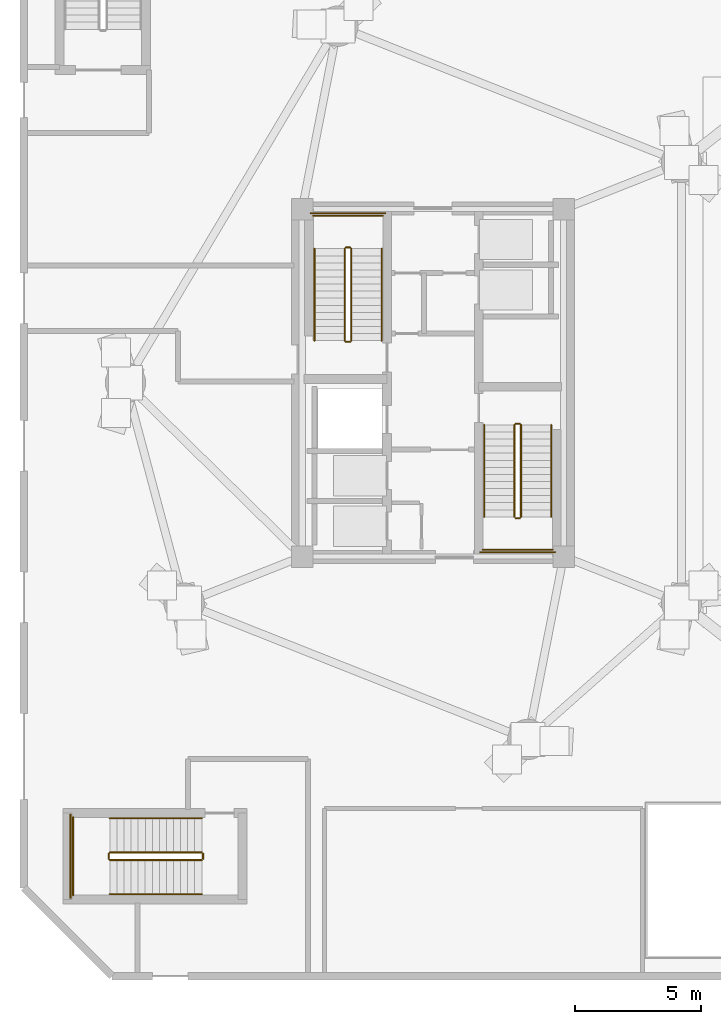
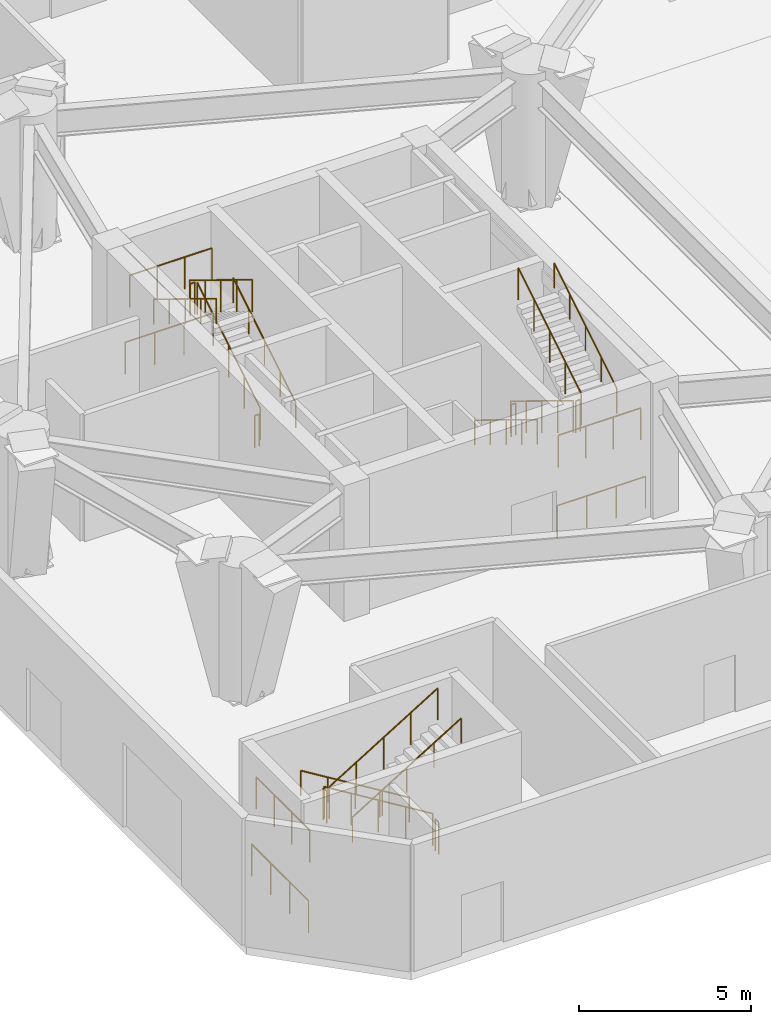
# One storey, part 12 of 17: 24 railings.
"""IFC4 building model written with IfcOpenShell, lengths in metres."""

from ifc_helpers import new_model, si_unit, direction, frame, origin, origin_2d, place, context, subcontext, project, spatial, circle, extrude, material, type_object, element, save


model = new_model("IFC4")

# Units and contexts
model_context = context("Model", 3, precision=1e-05, world=origin(), true_north=direction((0.0, 1.0)))
body_context = subcontext(model_context, "Body", "Model", "MODEL_VIEW")
ifc_project = project(units=[si_unit("LENGTHUNIT", "METRE"), si_unit("AREAUNIT", "SQUARE_METRE"), si_unit("VOLUMEUNIT", "CUBIC_METRE"), si_unit("PLANEANGLEUNIT", "RADIAN"), si_unit("MASSUNIT", "GRAM", prefix="KILO")], contexts=[model_context])

# Site, building, storey
site_placement = place(None, origin())
site = spatial("IfcSite", under=ifc_project, at=site_placement, CompositionType="ELEMENT")
building_placement = place(site_placement, origin())
building = spatial("IfcBuilding", under=site, at=building_placement, Name="Cununo Teusaquillo Station Towers", CompositionType="ELEMENT")
storey_placement = place(building_placement, origin())
storey = spatial("IfcBuildingStorey", under=building, at=storey_placement, Name="L00", CompositionType="ELEMENT", Elevation=0.0)

# Railings
ifc_material_1 = material(Name="Steel EN 10025-2 S355J2", Category="steel")
railing_type_1 = type_object("IfcRailingType", Name="RL-INT-GUARD", PredefinedType="GUARDRAIL", material=ifc_material_1)
railing_1_placement = place(storey_placement, frame((13.27001953125, 26.169921875, 0.17138671875)))
element("IfcRailing", 1, at=railing_1_placement, inside=storey, type_object=railing_type_1, Name="L00 ST-T1-1 stair guard 1", PredefinedType="GUARDRAIL", context=body_context, shape_type="SweptSolid", body=[
    extrude(circle(Radius=0.02392578125, at=origin_2d()), frame((0.0, 0.0, 1.1259765625), z_axis=(0.0, 0.852865859571, 0.52213008492), x_axis=(-1.0, 0.0, 0.0)), (0.0, 0.0, 1.0), 4.26806640625),
    extrude(circle(Radius=0.02099609375, at=origin_2d()), origin(), (0.0, 0.0, 1.0), 1.101806640625),
    extrude(circle(Radius=0.02099609375, at=origin_2d()), frame((0.0, 0.91015625, 0.55712890625)), (0.0, 0.0, 1.0), 1.101806640625),
    extrude(circle(Radius=0.02099609375, at=origin_2d()), frame((0.0, 1.820068359375, 1.1142578125)), (0.0, 0.0, 1.0), 1.101806640625),
    extrude(circle(Radius=0.02099609375, at=origin_2d()), frame((0.0, 2.72998046875, 1.67138671875)), (0.0, 0.0, 1.0), 1.101806640625),
    extrude(circle(Radius=0.02099609375, at=origin_2d()), frame((0.0, 3.64013671875, 2.228515625)), (0.0, 0.0, 1.0), 1.101806640625),
])
railing_2_placement = place(storey_placement, frame((13.219970703125, 29.860107421875, 2.39990234375)))
element("IfcRailing", 2, at=railing_2_placement, inside=storey, type_object=railing_type_1, Name="L00 ST-T1-1 stair guard 2", PredefinedType="GUARDRAIL", context=body_context, shape_type="SweptSolid", body=[
    extrude(circle(Radius=0.02392578125, at=origin_2d()), frame((0.0, 0.0, 1.1259765625), z_axis=(-1.0, 0.0, 0.0), x_axis=(0.0, -1.0, 0.0)), (0.0, 0.0, 1.0), 0.159912109375),
    extrude(circle(Radius=0.02099609375, at=origin_2d()), origin(), (0.0, 0.0, 1.0), 1.101806640625),
    extrude(circle(Radius=0.02099609375, at=origin_2d()), frame((-0.159912109375, 0.0, 0.0)), (0.0, 0.0, 1.0), 1.101806640625),
])
railing_3_placement = place(storey_placement, frame((14.52001953125, 31.110107421875, 2.39990234375)))
element("IfcRailing", 3, at=railing_3_placement, inside=storey, type_object=railing_type_1, Name="L00 ST-T1-1 stair guard 3", PredefinedType="GUARDRAIL", context=body_context, shape_type="SweptSolid", body=[
    extrude(circle(Radius=0.02392578125, at=origin_2d()), frame((0.0, 0.0, 1.1259765625), z_axis=(-1.0, 0.0, 0.0), x_axis=(0.0, -1.0, 0.0)), (0.0, 0.0, 1.0), 2.760009765625),
    extrude(circle(Radius=0.02099609375, at=origin_2d()), origin(), (0.0, 0.0, 1.0), 1.101806640625),
    extrude(circle(Radius=0.02099609375, at=origin_2d()), frame((-0.919921875, 0.0, 0.0)), (0.0, 0.0, 1.0), 1.101806640625),
    extrude(circle(Radius=0.02099609375, at=origin_2d()), frame((-1.840087890625, 0.0, 0.0)), (0.0, 0.0, 1.0), 1.101806640625),
    extrude(circle(Radius=0.02099609375, at=origin_2d()), frame((-2.760009765625, 0.0, 0.0)), (0.0, 0.0, 1.0), 1.101806640625),
])
railing_4_placement = place(storey_placement, frame((13.010009765625, 29.81005859375, 2.571533203125)))
element("IfcRailing", 4, at=railing_4_placement, inside=storey, type_object=railing_type_1, Name="L00 ST-T1-1 stair guard 4", PredefinedType="GUARDRAIL", context=body_context, shape_type="SweptSolid", body=[
    extrude(circle(Radius=0.02392578125, at=origin_2d()), frame((0.0, 0.0, 1.1259765625), z_axis=(0.0, -0.852865859571, 0.52213008492), x_axis=(1.0, 0.0, 0.0)), (0.0, 0.0, 1.0), 4.26806640625),
    extrude(circle(Radius=0.02099609375, at=origin_2d()), origin(), (0.0, 0.0, 1.0), 1.101806640625),
    extrude(circle(Radius=0.02099609375, at=origin_2d()), frame((0.0, -0.91015625, 0.55712890625)), (0.0, 0.0, 1.0), 1.101806640625),
    extrude(circle(Radius=0.02099609375, at=origin_2d()), frame((0.0, -1.820068359375, 1.1142578125)), (0.0, 0.0, 1.0), 1.101806640625),
    extrude(circle(Radius=0.02099609375, at=origin_2d()), frame((0.0, -2.72998046875, 1.67138671875)), (0.0, 0.0, 1.0), 1.101806640625),
    extrude(circle(Radius=0.02099609375, at=origin_2d()), frame((0.0, -3.64013671875, 2.228515625)), (0.0, 0.0, 1.0), 1.101806640625),
])
railing_5_placement = place(storey_placement, frame((13.219970703125, 26.1201171875, 0.0)))
element("IfcRailing", 5, at=railing_5_placement, inside=storey, type_object=railing_type_1, Name="L00 ST-T1-1 stair guard 5", PredefinedType="GUARDRAIL", context=body_context, shape_type="SweptSolid", body=[
    extrude(circle(Radius=0.02392578125, at=origin_2d()), frame((0.0, 0.0, 1.1259765625), z_axis=(-1.0, 0.0, 0.0), x_axis=(0.0, -1.0, 0.0)), (0.0, 0.0, 1.0), 0.159912109375),
    extrude(circle(Radius=0.02099609375, at=origin_2d()), origin(), (0.0, 0.0, 1.0), 1.101806640625),
    extrude(circle(Radius=0.02099609375, at=origin_2d()), frame((-0.159912109375, 0.0, 0.0)), (0.0, 0.0, 1.0), 1.101806640625),
])
railing_6_placement = place(storey_placement, frame((14.6201171875, 31.2099609375, 0.0)))
element("IfcRailing", 6, at=railing_6_placement, inside=storey, type_object=railing_type_1, Name="L00 ST-T1-1 stair guard 6", PredefinedType="GUARDRAIL", context=body_context, shape_type="SweptSolid", body=[
    extrude(circle(Radius=0.02392578125, at=origin_2d()), frame((0.0, 0.0, 1.1259765625), z_axis=(-1.0, 0.0, 0.0), x_axis=(0.0, -1.0, 0.0)), (0.0, 0.0, 1.0), 2.960205078125),
    extrude(circle(Radius=0.02099609375, at=origin_2d()), origin(), (0.0, 0.0, 1.0), 1.101806640625),
    extrude(circle(Radius=0.02099609375, at=origin_2d()), frame((-0.98681640625, 0.0, 0.0)), (0.0, 0.0, 1.0), 1.101806640625),
    extrude(circle(Radius=0.02099609375, at=origin_2d()), frame((-1.973388671875, 0.0, 0.0)), (0.0, 0.0, 1.0), 1.101806640625),
    extrude(circle(Radius=0.02099609375, at=origin_2d()), frame((-2.960205078125, 0.0, 0.0)), (0.0, 0.0, 1.0), 1.101806640625),
])
railing_7_placement = place(storey_placement, frame((19.72998046875, 22.830078125, 0.17138671875)))
element("IfcRailing", 7, at=railing_7_placement, inside=storey, type_object=railing_type_1, Name="L00 ST-T1-2 stair guard 1", PredefinedType="GUARDRAIL", context=body_context, shape_type="SweptSolid", body=[
    extrude(circle(Radius=0.02392578125, at=origin_2d()), frame((0.0, 0.0, 1.1259765625), z_axis=(0.0, -0.852865859571, 0.52213008492), x_axis=(1.0, 0.0, 0.0)), (0.0, 0.0, 1.0), 4.26806640625),
    extrude(circle(Radius=0.02099609375, at=origin_2d()), origin(), (0.0, 0.0, 1.0), 1.101806640625),
    extrude(circle(Radius=0.02099609375, at=origin_2d()), frame((0.0, -0.91015625, 0.55712890625)), (0.0, 0.0, 1.0), 1.101806640625),
    extrude(circle(Radius=0.02099609375, at=origin_2d()), frame((0.0, -1.820068359375, 1.1142578125)), (0.0, 0.0, 1.0), 1.101806640625),
    extrude(circle(Radius=0.02099609375, at=origin_2d()), frame((0.0, -2.72998046875, 1.67138671875)), (0.0, 0.0, 1.0), 1.101806640625),
    extrude(circle(Radius=0.02099609375, at=origin_2d()), frame((0.0, -3.64013671875, 2.228515625)), (0.0, 0.0, 1.0), 1.101806640625),
])
railing_8_placement = place(storey_placement, frame((19.780029296875, 19.139892578125, 2.39990234375)))
element("IfcRailing", 8, at=railing_8_placement, inside=storey, type_object=railing_type_1, Name="L00 ST-T1-2 stair guard 2", PredefinedType="GUARDRAIL", context=body_context, shape_type="SweptSolid", body=[
    extrude(circle(Radius=0.02392578125, at=origin_2d()), frame((0.0, 0.0, 1.1259765625), z_axis=(1.0, 0.0, 0.0), x_axis=(0.0, 1.0, 0.0)), (0.0, 0.0, 1.0), 0.159912109375),
    extrude(circle(Radius=0.02099609375, at=origin_2d()), origin(), (0.0, 0.0, 1.0), 1.101806640625),
    extrude(circle(Radius=0.02099609375, at=origin_2d()), frame((0.159912109375, 0.0, 0.0)), (0.0, 0.0, 1.0), 1.101806640625),
])
railing_9_placement = place(storey_placement, frame((18.47998046875, 17.889892578125, 2.39990234375)))
element("IfcRailing", 9, at=railing_9_placement, inside=storey, type_object=railing_type_1, Name="L00 ST-T1-2 stair guard 3", PredefinedType="GUARDRAIL", context=body_context, shape_type="SweptSolid", body=[
    extrude(circle(Radius=0.02392578125, at=origin_2d()), frame((0.0, 0.0, 1.1259765625), z_axis=(1.0, 0.0, 0.0), x_axis=(0.0, 1.0, 0.0)), (0.0, 0.0, 1.0), 2.760009765625),
    extrude(circle(Radius=0.02099609375, at=origin_2d()), origin(), (0.0, 0.0, 1.0), 1.101806640625),
    extrude(circle(Radius=0.02099609375, at=origin_2d()), frame((0.919921875, 0.0, 0.0)), (0.0, 0.0, 1.0), 1.101806640625),
    extrude(circle(Radius=0.02099609375, at=origin_2d()), frame((1.840087890625, 0.0, 0.0)), (0.0, 0.0, 1.0), 1.101806640625),
    extrude(circle(Radius=0.02099609375, at=origin_2d()), frame((2.760009765625, 0.0, 0.0)), (0.0, 0.0, 1.0), 1.101806640625),
])
railing_10_placement = place(storey_placement, frame((19.989990234375, 19.18994140625, 2.571533203125)))
element("IfcRailing", 10, at=railing_10_placement, inside=storey, type_object=railing_type_1, Name="L00 ST-T1-2 stair guard 4", PredefinedType="GUARDRAIL", context=body_context, shape_type="SweptSolid", body=[
    extrude(circle(Radius=0.02392578125, at=origin_2d()), frame((0.0, 0.0, 1.1259765625), z_axis=(0.0, 0.852865859571, 0.52213008492), x_axis=(-1.0, 0.0, 0.0)), (0.0, 0.0, 1.0), 4.26806640625),
    extrude(circle(Radius=0.02099609375, at=origin_2d()), origin(), (0.0, 0.0, 1.0), 1.101806640625),
    extrude(circle(Radius=0.02099609375, at=origin_2d()), frame((0.0, 0.91015625, 0.55712890625)), (0.0, 0.0, 1.0), 1.101806640625),
    extrude(circle(Radius=0.02099609375, at=origin_2d()), frame((0.0, 1.820068359375, 1.1142578125)), (0.0, 0.0, 1.0), 1.101806640625),
    extrude(circle(Radius=0.02099609375, at=origin_2d()), frame((0.0, 2.72998046875, 1.67138671875)), (0.0, 0.0, 1.0), 1.101806640625),
    extrude(circle(Radius=0.02099609375, at=origin_2d()), frame((0.0, 3.64013671875, 2.228515625)), (0.0, 0.0, 1.0), 1.101806640625),
])
railing_11_placement = place(storey_placement, frame((19.780029296875, 22.8798828125, 0.0)))
element("IfcRailing", 11, at=railing_11_placement, inside=storey, type_object=railing_type_1, Name="L00 ST-T1-2 stair guard 5", PredefinedType="GUARDRAIL", context=body_context, shape_type="SweptSolid", body=[
    extrude(circle(Radius=0.02392578125, at=origin_2d()), frame((0.0, 0.0, 1.1259765625), z_axis=(1.0, 0.0, 0.0), x_axis=(0.0, 1.0, 0.0)), (0.0, 0.0, 1.0), 0.159912109375),
    extrude(circle(Radius=0.02099609375, at=origin_2d()), origin(), (0.0, 0.0, 1.0), 1.101806640625),
    extrude(circle(Radius=0.02099609375, at=origin_2d()), frame((0.159912109375, 0.0, 0.0)), (0.0, 0.0, 1.0), 1.101806640625),
])
railing_12_placement = place(storey_placement, frame((18.3798828125, 17.7900390625, 0.0)))
element("IfcRailing", 12, at=railing_12_placement, inside=storey, type_object=railing_type_1, Name="L00 ST-T1-2 stair guard 6", PredefinedType="GUARDRAIL", context=body_context, shape_type="SweptSolid", body=[
    extrude(circle(Radius=0.02392578125, at=origin_2d()), frame((0.0, 0.0, 1.1259765625), z_axis=(1.0, 0.0, 0.0), x_axis=(0.0, 1.0, 0.0)), (0.0, 0.0, 1.0), 2.960205078125),
    extrude(circle(Radius=0.02099609375, at=origin_2d()), origin(), (0.0, 0.0, 1.0), 1.101806640625),
    extrude(circle(Radius=0.02099609375, at=origin_2d()), frame((0.98681640625, 0.0, 0.0)), (0.0, 0.0, 1.0), 1.101806640625),
    extrude(circle(Radius=0.02099609375, at=origin_2d()), frame((1.973388671875, 0.0, 0.0)), (0.0, 0.0, 1.0), 1.101806640625),
    extrude(circle(Radius=0.02099609375, at=origin_2d()), frame((2.960205078125, 0.0, 0.0)), (0.0, 0.0, 1.0), 1.101806640625),
])
railing_13_placement = place(storey_placement, frame((7.35009765625, 5.89990234375, 0.17138671875)))
element("IfcRailing", 13, at=railing_13_placement, inside=storey, type_object=railing_type_1, Name="L00 ST-POD-S stair guard 1", PredefinedType="GUARDRAIL", context=body_context, shape_type="SweptSolid", body=[
    extrude(circle(Radius=0.02392578125, at=origin_2d()), frame((0.0, 0.0, 1.1259765625), z_axis=(-0.852865859571, 0.0, 0.52213008492), x_axis=(0.0, -1.0, 0.0)), (0.0, 0.0, 1.0), 4.26806640625),
    extrude(circle(Radius=0.02099609375, at=origin_2d()), origin(), (0.0, 0.0, 1.0), 1.101806640625),
    extrude(circle(Radius=0.02099609375, at=origin_2d()), frame((-0.91015625, 0.0, 0.55712890625)), (0.0, 0.0, 1.0), 1.101806640625),
    extrude(circle(Radius=0.02099609375, at=origin_2d()), frame((-1.820068359375, 0.0, 1.1142578125)), (0.0, 0.0, 1.0), 1.101806640625),
    extrude(circle(Radius=0.02099609375, at=origin_2d()), frame((-2.72998046875, 0.0, 1.67138671875)), (0.0, 0.0, 1.0), 1.101806640625),
    extrude(circle(Radius=0.02099609375, at=origin_2d()), frame((-3.64013671875, 0.0, 2.228515625)), (0.0, 0.0, 1.0), 1.101806640625),
])
railing_14_placement = place(storey_placement, frame((3.659912109375, 5.85009765625, 2.39990234375)))
element("IfcRailing", 14, at=railing_14_placement, inside=storey, type_object=railing_type_1, Name="L00 ST-POD-S stair guard 2", PredefinedType="GUARDRAIL", context=body_context, shape_type="SweptSolid", body=[
    extrude(circle(Radius=0.02392578125, at=origin_2d()), frame((0.0, 0.0, 1.1259765625), z_axis=(0.0, -1.0, 0.0), x_axis=(1.0, 0.0, 0.0)), (0.0, 0.0, 1.0), 0.2001953125),
    extrude(circle(Radius=0.02099609375, at=origin_2d()), origin(), (0.0, 0.0, 1.0), 1.101806640625),
    extrude(circle(Radius=0.02099609375, at=origin_2d()), frame((0.0, -0.2001953125, 0.0)), (0.0, 0.0, 1.0), 1.101806640625),
])
railing_15_placement = place(storey_placement, frame((2.25, 7.300048828125, 2.39990234375)))
element("IfcRailing", 15, at=railing_15_placement, inside=storey, type_object=railing_type_1, Name="L00 ST-POD-S stair guard 3", PredefinedType="GUARDRAIL", context=body_context, shape_type="SweptSolid", body=[
    extrude(circle(Radius=0.02392578125, at=origin_2d()), frame((0.0, 0.0, 1.1259765625), z_axis=(0.0, -1.0, 0.0), x_axis=(1.0, 0.0, 0.0)), (0.0, 0.0, 1.0), 3.10009765625),
    extrude(circle(Radius=0.02099609375, at=origin_2d()), origin(), (0.0, 0.0, 1.0), 1.101806640625),
    extrude(circle(Radius=0.02099609375, at=origin_2d()), frame((0.0, -1.033447265625, 0.0)), (0.0, 0.0, 1.0), 1.101806640625),
    extrude(circle(Radius=0.02099609375, at=origin_2d()), frame((0.0, -2.066650390625, 0.0)), (0.0, 0.0, 1.0), 1.101806640625),
    extrude(circle(Radius=0.02099609375, at=origin_2d()), frame((0.0, -3.10009765625, 0.0)), (0.0, 0.0, 1.0), 1.101806640625),
])
railing_16_placement = place(storey_placement, frame((3.7099609375, 5.60009765625, 2.571533203125)))
element("IfcRailing", 16, at=railing_16_placement, inside=storey, type_object=railing_type_1, Name="L00 ST-POD-S stair guard 4", PredefinedType="GUARDRAIL", context=body_context, shape_type="SweptSolid", body=[
    extrude(circle(Radius=0.02392578125, at=origin_2d()), frame((0.0, 0.0, 1.1259765625), z_axis=(0.852865859571, 0.0, 0.52213008492), x_axis=(0.0, 1.0, 0.0)), (0.0, 0.0, 1.0), 4.26806640625),
    extrude(circle(Radius=0.02099609375, at=origin_2d()), origin(), (0.0, 0.0, 1.0), 1.101806640625),
    extrude(circle(Radius=0.02099609375, at=origin_2d()), frame((0.91015625, 0.0, 0.55712890625)), (0.0, 0.0, 1.0), 1.101806640625),
    extrude(circle(Radius=0.02099609375, at=origin_2d()), frame((1.820068359375, 0.0, 1.1142578125)), (0.0, 0.0, 1.0), 1.101806640625),
    extrude(circle(Radius=0.02099609375, at=origin_2d()), frame((2.72998046875, 0.0, 1.67138671875)), (0.0, 0.0, 1.0), 1.101806640625),
    extrude(circle(Radius=0.02099609375, at=origin_2d()), frame((3.64013671875, 0.0, 2.228515625)), (0.0, 0.0, 1.0), 1.101806640625),
])
railing_17_placement = place(storey_placement, frame((7.39990234375, 5.85009765625, 0.0)))
element("IfcRailing", 17, at=railing_17_placement, inside=storey, type_object=railing_type_1, Name="L00 ST-POD-S stair guard 5", PredefinedType="GUARDRAIL", context=body_context, shape_type="SweptSolid", body=[
    extrude(circle(Radius=0.02392578125, at=origin_2d()), frame((0.0, 0.0, 1.1259765625), z_axis=(0.0, -1.0, 0.0), x_axis=(1.0, 0.0, 0.0)), (0.0, 0.0, 1.0), 0.2001953125),
    extrude(circle(Radius=0.02099609375, at=origin_2d()), origin(), (0.0, 0.0, 1.0), 1.101806640625),
    extrude(circle(Radius=0.02099609375, at=origin_2d()), frame((0.0, -0.2001953125, 0.0)), (0.0, 0.0, 1.0), 1.101806640625),
])
railing_18_placement = place(storey_placement, frame((2.14990234375, 7.39990234375, 0.0)))
element("IfcRailing", 18, at=railing_18_placement, inside=storey, type_object=railing_type_1, Name="L00 ST-POD-S stair guard 6", PredefinedType="GUARDRAIL", context=body_context, shape_type="SweptSolid", body=[
    extrude(circle(Radius=0.02392578125, at=origin_2d()), frame((0.0, 0.0, 1.1259765625), z_axis=(0.0, -1.0, 0.0), x_axis=(1.0, 0.0, 0.0)), (0.0, 0.0, 1.0), 3.2998046875),
    extrude(circle(Radius=0.02099609375, at=origin_2d()), origin(), (0.0, 0.0, 1.0), 1.101806640625),
    extrude(circle(Radius=0.02099609375, at=origin_2d()), frame((0.0, -1.099853515625, 0.0)), (0.0, 0.0, 1.0), 1.101806640625),
    extrude(circle(Radius=0.02099609375, at=origin_2d()), frame((0.0, -2.199951171875, 0.0)), (0.0, 0.0, 1.0), 1.101806640625),
    extrude(circle(Radius=0.02099609375, at=origin_2d()), frame((0.0, -3.2998046875, 0.0)), (0.0, 0.0, 1.0), 1.101806640625),
])
ifc_material_2 = material(Name="Steel EN 10025-2 S355J2", Category="steel")
railing_type_2 = type_object("IfcRailingType", Name="RL-INT-HRAIL", PredefinedType="HANDRAIL", material=ifc_material_2)
railing_19_placement = place(storey_placement, frame((14.469970703125, 26.169921875, 0.17138671875)))
element("IfcRailing", 19, at=railing_19_placement, inside=storey, type_object=railing_type_2, Name="L00 ST-T1-1 stair handrail 1", PredefinedType="HANDRAIL", context=body_context, shape_type="SweptSolid", body=[
    extrude(circle(Radius=0.02392578125, at=origin_2d()), frame((0.0, 0.0, 0.8759765625), z_axis=(0.0, 0.852865859571, 0.52213008492), x_axis=(-1.0, 0.0, 0.0)), (0.0, 0.0, 1.0), 4.26806640625),
    extrude(circle(Radius=0.02099609375, at=origin_2d()), origin(), (0.0, 0.0, 1.0), 0.851806640625),
    extrude(circle(Radius=0.02099609375, at=origin_2d()), frame((0.0, 0.91015625, 0.55712890625)), (0.0, 0.0, 1.0), 0.851806640625),
    extrude(circle(Radius=0.02099609375, at=origin_2d()), frame((0.0, 1.820068359375, 1.1142578125)), (0.0, 0.0, 1.0), 0.851806640625),
    extrude(circle(Radius=0.02099609375, at=origin_2d()), frame((0.0, 2.72998046875, 1.67138671875)), (0.0, 0.0, 1.0), 0.851806640625),
    extrude(circle(Radius=0.02099609375, at=origin_2d()), frame((0.0, 3.64013671875, 2.228515625)), (0.0, 0.0, 1.0), 0.851806640625),
])
for number, where, name in (
    (20, (11.81005859375, 29.81005859375, 2.571533203125), "L00 ST-T1-1 stair handrail 2"),
    (21, (18.530029296875, 22.830078125, 0.17138671875), "L00 ST-T1-2 stair handrail 1"),
):
    element("IfcRailing", number, at=place(storey_placement, frame(where)), inside=storey, type_object=railing_type_2, Name=name, PredefinedType="HANDRAIL", context=body_context, shape_type="SweptSolid", body=[
        extrude(circle(Radius=0.02392578125, at=origin_2d()), frame((0.0, 0.0, 0.8759765625), z_axis=(0.0, -0.852865859571, 0.52213008492), x_axis=(1.0, 0.0, 0.0)), (0.0, 0.0, 1.0), 4.26806640625),
        extrude(circle(Radius=0.02099609375, at=origin_2d()), origin(), (0.0, 0.0, 1.0), 0.851806640625),
        extrude(circle(Radius=0.02099609375, at=origin_2d()), frame((0.0, -0.91015625, 0.55712890625)), (0.0, 0.0, 1.0), 0.851806640625),
        extrude(circle(Radius=0.02099609375, at=origin_2d()), frame((0.0, -1.820068359375, 1.1142578125)), (0.0, 0.0, 1.0), 0.851806640625),
        extrude(circle(Radius=0.02099609375, at=origin_2d()), frame((0.0, -2.72998046875, 1.67138671875)), (0.0, 0.0, 1.0), 0.851806640625),
        extrude(circle(Radius=0.02099609375, at=origin_2d()), frame((0.0, -3.64013671875, 2.228515625)), (0.0, 0.0, 1.0), 0.851806640625),
    ])
railing_20_placement = place(storey_placement, frame((21.18994140625, 19.18994140625, 2.571533203125)))
element("IfcRailing", 22, at=railing_20_placement, inside=storey, type_object=railing_type_2, Name="L00 ST-T1-2 stair handrail 2", PredefinedType="HANDRAIL", context=body_context, shape_type="SweptSolid", body=[
    extrude(circle(Radius=0.02392578125, at=origin_2d()), frame((0.0, 0.0, 0.8759765625), z_axis=(0.0, 0.852865859571, 0.52213008492), x_axis=(-1.0, 0.0, 0.0)), (0.0, 0.0, 1.0), 4.26806640625),
    extrude(circle(Radius=0.02099609375, at=origin_2d()), origin(), (0.0, 0.0, 1.0), 0.851806640625),
    extrude(circle(Radius=0.02099609375, at=origin_2d()), frame((0.0, 0.91015625, 0.55712890625)), (0.0, 0.0, 1.0), 0.851806640625),
    extrude(circle(Radius=0.02099609375, at=origin_2d()), frame((0.0, 1.820068359375, 1.1142578125)), (0.0, 0.0, 1.0), 0.851806640625),
    extrude(circle(Radius=0.02099609375, at=origin_2d()), frame((0.0, 2.72998046875, 1.67138671875)), (0.0, 0.0, 1.0), 0.851806640625),
    extrude(circle(Radius=0.02099609375, at=origin_2d()), frame((0.0, 3.64013671875, 2.228515625)), (0.0, 0.0, 1.0), 0.851806640625),
])
railing_21_placement = place(storey_placement, frame((7.35009765625, 7.25, 0.17138671875)))
element("IfcRailing", 23, at=railing_21_placement, inside=storey, type_object=railing_type_2, Name="L00 ST-POD-S stair handrail 1", PredefinedType="HANDRAIL", context=body_context, shape_type="SweptSolid", body=[
    extrude(circle(Radius=0.02392578125, at=origin_2d()), frame((0.0, 0.0, 0.8759765625), z_axis=(-0.852865859571, 0.0, 0.52213008492), x_axis=(0.0, -1.0, 0.0)), (0.0, 0.0, 1.0), 4.26806640625),
    extrude(circle(Radius=0.02099609375, at=origin_2d()), origin(), (0.0, 0.0, 1.0), 0.851806640625),
    extrude(circle(Radius=0.02099609375, at=origin_2d()), frame((-0.91015625, 0.0, 0.55712890625)), (0.0, 0.0, 1.0), 0.851806640625),
    extrude(circle(Radius=0.02099609375, at=origin_2d()), frame((-1.820068359375, 0.0, 1.1142578125)), (0.0, 0.0, 1.0), 0.851806640625),
    extrude(circle(Radius=0.02099609375, at=origin_2d()), frame((-2.72998046875, 0.0, 1.67138671875)), (0.0, 0.0, 1.0), 0.851806640625),
    extrude(circle(Radius=0.02099609375, at=origin_2d()), frame((-3.64013671875, 0.0, 2.228515625)), (0.0, 0.0, 1.0), 0.851806640625),
])
railing_22_placement = place(storey_placement, frame((3.7099609375, 4.25, 2.571533203125)))
element("IfcRailing", 24, at=railing_22_placement, inside=storey, type_object=railing_type_2, Name="L00 ST-POD-S stair handrail 2", PredefinedType="HANDRAIL", context=body_context, shape_type="SweptSolid", body=[
    extrude(circle(Radius=0.02392578125, at=origin_2d()), frame((0.0, 0.0, 0.8759765625), z_axis=(0.852865859571, 0.0, 0.52213008492), x_axis=(0.0, 1.0, 0.0)), (0.0, 0.0, 1.0), 4.26806640625),
    extrude(circle(Radius=0.02099609375, at=origin_2d()), origin(), (0.0, 0.0, 1.0), 0.851806640625),
    extrude(circle(Radius=0.02099609375, at=origin_2d()), frame((0.91015625, 0.0, 0.55712890625)), (0.0, 0.0, 1.0), 0.851806640625),
    extrude(circle(Radius=0.02099609375, at=origin_2d()), frame((1.820068359375, 0.0, 1.1142578125)), (0.0, 0.0, 1.0), 0.851806640625),
    extrude(circle(Radius=0.02099609375, at=origin_2d()), frame((2.72998046875, 0.0, 1.67138671875)), (0.0, 0.0, 1.0), 0.851806640625),
    extrude(circle(Radius=0.02099609375, at=origin_2d()), frame((3.64013671875, 0.0, 2.228515625)), (0.0, 0.0, 1.0), 0.851806640625),
])

save(model, "model.ifc")
